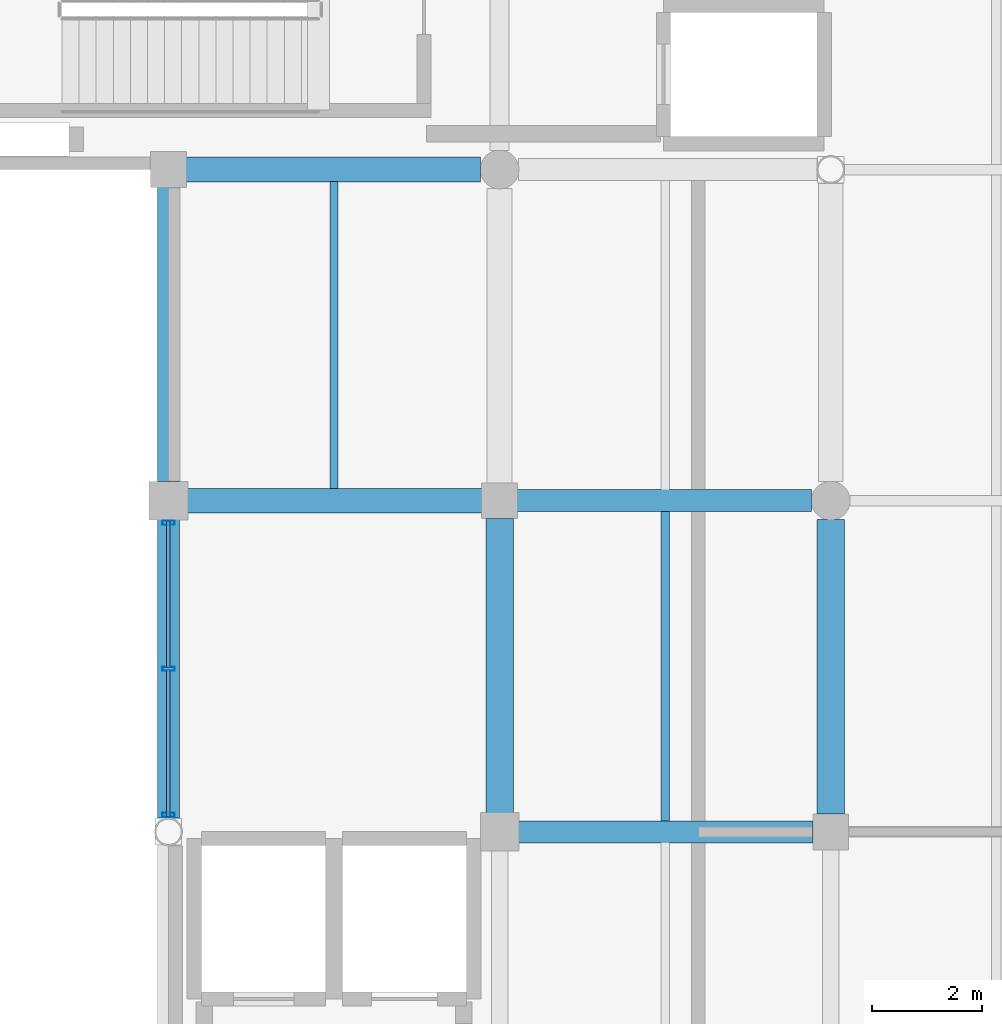
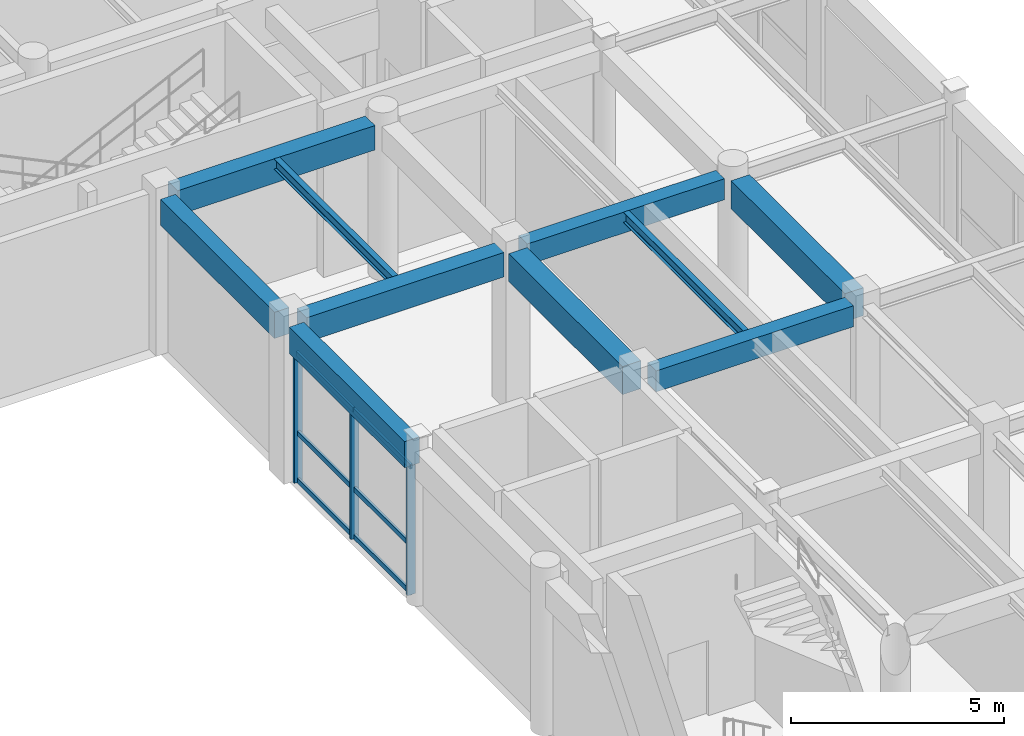
# One storey, part 81 of 123: 10 beams, 9 members, 1 element without a shape of its own.
"""IFC4 building model written with IfcOpenShell, lengths in metres."""

import ifcopenshell
import ifcopenshell.guid

model = None  # the IFC model being written
_history = None  # IfcOwnerHistory: only IFC2X3 demands one
_inside = {}  # id of a spatial element -> (the spatial element, [elements in it])
_under = {}  # id of a project, library or spatial element -> (it, [spatial elements below it])
_declared = {}  # id of a project -> (the project, [libraries it declares])
_typed = {}  # id of a type object -> (the type object, [elements of that type])
_made_of = {}  # id of a material, layer set ... -> (it, [elements and type objects made of it])


def new_model(schema):
    """Start an empty IFC model of exactly this schema.

    Asked for "IFC4X3", IfcOpenShell would pick the latest addendum, in which some entities
    have other attributes; the version numbers below select the first issue.
    IFC2X3 requires an IfcOwnerHistory on every rooted entity: one is made here for all.
    """
    global model, _history
    if schema == "IFC4X3":
        model = ifcopenshell.file(schema_version=(4, 3, 0, 0))
    else:
        model = ifcopenshell.file(schema=schema)
    _inside.clear()
    _under.clear()
    _declared.clear()
    _typed.clear()
    _made_of.clear()
    _history = None
    if model.schema == "IFC2X3":
        org = make("IfcOrganization", Name="unknown")
        user = make(
            "IfcPersonAndOrganization",
            ThePerson=make("IfcPerson", FamilyName="unknown"),
            TheOrganization=org,
        )
        app = make(
            "IfcApplication",
            ApplicationDeveloper=org,
            Version="unknown",
            ApplicationFullName="unknown",
            ApplicationIdentifier="unknown",
        )
        _history = make(
            "IfcOwnerHistory",
            OwningUser=user,
            OwningApplication=app,
            ChangeAction="ADDED",
            CreationDate=0,
        )
    return model


def make(cls, **values):
    """One entity of the class cls with the attributes given. An attribute that is None is left unset."""
    return model.create_entity(
        cls, **{name: value for name, value in values.items() if value is not None}
    )


def rooted(cls, **values):
    """An entity with a GlobalId (a new one), such as an element, a storey or a relation."""
    return make(cls, GlobalId=ifcopenshell.guid.new(), OwnerHistory=_history, **values)


def si_unit(unit_type, name, prefix=None):
    """IfcSIUnit, for example si_unit("LENGTHUNIT", "METRE", prefix="MILLI")."""
    return make("IfcSIUnit", UnitType=unit_type, Prefix=prefix, Name=name)


def assignment(units):
    """IfcUnitAssignment: the units of a project."""
    return None if units is None else make("IfcUnitAssignment", Units=units)


def point(xyz):
    """IfcCartesianPoint."""
    return None if xyz is None else make("IfcCartesianPoint", Coordinates=xyz)


def direction(xyz):
    """IfcDirection."""
    return None if xyz is None else make("IfcDirection", DirectionRatios=xyz)


def frame(location, z_axis=None, x_axis=None):
    """IfcAxis2Placement3D, a coordinate frame: its origin and axes. An axis left out is left unset."""
    return make(
        "IfcAxis2Placement3D",
        Location=point(location),
        Axis=direction(z_axis),
        RefDirection=direction(x_axis),
    )


def frame_2d(location, x_axis=None):
    """IfcAxis2Placement2D, a coordinate frame in the plane: its origin and x axis."""
    return make(
        "IfcAxis2Placement2D", Location=point(location), RefDirection=direction(x_axis)
    )


def origin():
    """The frame at (0, 0, 0) with its axes left unset."""
    return frame((0.0, 0.0, 0.0))


def origin_2d():
    """The frame at (0, 0) in the plane with its x axis left unset."""
    return frame_2d((0.0, 0.0))


def place(relative_to, where):
    """IfcLocalPlacement: puts the frame where relative to a parent placement (None: the world)."""
    return make(
        "IfcLocalPlacement", PlacementRelTo=relative_to, RelativePlacement=where
    )


def context(
    kind, dimensions, precision=None, world=None, true_north=None, identifier=None
):
    """IfcGeometricRepresentationContext, for example the 3D "Model" context."""
    return make(
        "IfcGeometricRepresentationContext",
        ContextIdentifier=identifier,
        ContextType=kind,
        CoordinateSpaceDimension=dimensions,
        Precision=precision,
        WorldCoordinateSystem=world,
        TrueNorth=true_north,
    )


def subcontext(parent, identifier, kind, view, scale=None):
    """IfcGeometricRepresentationSubContext, for example "Body" below "Model"."""
    return make(
        "IfcGeometricRepresentationSubContext",
        ContextIdentifier=identifier,
        ContextType=kind,
        ParentContext=parent,
        TargetScale=scale,
        TargetView=view,
    )


def project(units=None, contexts=None):
    """IfcProject with its units and contexts."""
    return rooted(
        "IfcProject",
        Name="project",
        RepresentationContexts=contexts,
        UnitsInContext=assignment(units),
    )


def spatial(cls, under=None, at=None, **own):
    """A site, building, storey or space (cls), placed at a placement, below another one or the project."""
    s = rooted(cls, ObjectPlacement=at, **own)
    if under is not None:
        _under.setdefault(under.id(), (under, []))[1].append(s)
    return s


def profile(cls, at=None, kind="AREA", **sizes):
    """A parametric profile (cls). Its sizes go by their IFC names, for example OverallWidth=200.0."""
    return make(cls, ProfileType=kind, Position=at, **sizes)


def rectangle(**sizes):
    """IfcRectangleProfileDef."""
    return profile("IfcRectangleProfileDef", **sizes)


def hollow_rectangle(**sizes):
    """IfcRectangleHollowProfileDef."""
    return profile("IfcRectangleHollowProfileDef", **sizes)


def i_section(**sizes):
    """IfcIShapeProfileDef."""
    return profile("IfcIShapeProfileDef", **sizes)


def extrude(swept, where, along, depth):
    """IfcExtrudedAreaSolid: the profile swept, set in the frame where, extruded along a direction by depth."""
    return make(
        "IfcExtrudedAreaSolid",
        SweptArea=swept,
        Position=where,
        ExtrudedDirection=direction(along),
        Depth=depth,
    )


def shape(context_of_items, identifier, shape_type, items):
    """IfcShapeRepresentation: the items that make up one representation, for example the "Body"."""
    return make(
        "IfcShapeRepresentation",
        ContextOfItems=context_of_items,
        RepresentationIdentifier=identifier,
        RepresentationType=shape_type,
        Items=items,
    )


def material(Name=None, Category=None):
    """IfcMaterial."""
    return make("IfcMaterial", Name=Name, Category=Category)


def material_profile(
    of_material, cross_section, Name=None, Category=None, Priority=None
):
    """IfcMaterialProfile: a cross section and its material."""
    return make(
        "IfcMaterialProfile",
        Name=Name,
        Material=of_material,
        Profile=cross_section,
        Priority=Priority,
        Category=Category,
    )


def profile_set(profiles, Name=None, composite=None):
    """IfcMaterialProfileSet."""
    return make(
        "IfcMaterialProfileSet",
        Name=Name,
        MaterialProfiles=profiles,
        CompositeProfile=composite,
    )


def made_of(thing, what):
    """Note that an element or type object is made of a material, layer set ...; save() writes the relation."""
    if what is not None:
        _made_of.setdefault(what.id(), (what, []))[1].append(thing)
    return thing


def type_object(cls, material=None, **own):
    """A type object (cls), such as IfcWallType, which elements share."""
    return made_of(rooted(cls, **own), material)


def element(
    cls,
    number,
    at=None,
    inside=None,
    cuts=None,
    type_object=None,
    material=None,
    context=None,
    identifier="Body",
    shape_type=None,
    held_by="IfcProductDefinitionShape",
    body=None,
    shapes=None,
    **own,
):
    """One element of the class cls, such as IfcWall. Its Tag is "e" and its number.

    at: its placement. inside: the storey or other place that contains it. cuts: it is an
    opening in that element (IfcRelVoidsElement). A single representation is given by context,
    identifier, shape_type and body (its items); several are given by shapes. held_by: the class
    of the entity that holds the representations. save() writes the other relations.
    """
    e = rooted(cls, Tag="e%d" % number, ObjectPlacement=at, **own)
    if body is not None:
        shapes = [shape(context, identifier, shape_type, body)]
    if shapes is not None:
        e.Representation = make(held_by, Representations=shapes)
    if inside is not None:
        _inside.setdefault(inside.id(), (inside, []))[1].append(e)
    if cuts is not None:
        rooted(
            "IfcRelVoidsElement", RelatingBuildingElement=cuts, RelatedOpeningElement=e
        )
    if type_object is not None:
        _typed.setdefault(type_object.id(), (type_object, []))[1].append(e)
    return made_of(e, material)


def aggregate(whole, parts):
    """IfcRelAggregates: a whole, such as a stair, and the parts it consists of."""
    return rooted("IfcRelAggregates", RelatingObject=whole, RelatedObjects=parts)


def save(model, path):
    """Write the relations noted so far, then the file.

    IfcRelAggregates (storeys below a building ...), IfcRelContainedInSpatialStructure (elements
    in a storey), IfcRelDefinesByType, IfcRelAssociatesMaterial and IfcRelDeclares: one each for
    every whole, place, type object, material and project.
    """
    for whole, parts in _under.values():
        aggregate(whole, parts)
    for where, things in _inside.values():
        rooted(
            "IfcRelContainedInSpatialStructure",
            RelatedElements=things,
            RelatingStructure=where,
        )
    for kind, things in _typed.values():
        rooted("IfcRelDefinesByType", RelatedObjects=things, RelatingType=kind)
    for what, things in _made_of.values():
        rooted("IfcRelAssociatesMaterial", RelatedObjects=things, RelatingMaterial=what)
    for by, libraries in _declared.values():
        rooted("IfcRelDeclares", RelatingContext=by, RelatedDefinitions=libraries)
    model.write(path)


model = new_model("IFC4")

# Units and contexts
model_context = context("Model", 3, precision=1e-05, world=origin(), true_north=direction((0.0, 1.0)))
body_context = subcontext(model_context, "Body", "Model", "MODEL_VIEW")
ifc_project = project(units=[si_unit("LENGTHUNIT", "METRE"), si_unit("AREAUNIT", "SQUARE_METRE"), si_unit("VOLUMEUNIT", "CUBIC_METRE"), si_unit("PLANEANGLEUNIT", "RADIAN"), si_unit("MASSUNIT", "GRAM", prefix="KILO"), si_unit("THERMODYNAMICTEMPERATUREUNIT", "KELVIN"), si_unit("POWERUNIT", "WATT")], contexts=[model_context])

# Site, building, storey
site_placement = place(None, origin())
site = spatial("IfcSite", under=ifc_project, at=site_placement, CompositionType="ELEMENT")
building_placement = place(site_placement, origin())
building = spatial("IfcBuilding", under=site, at=building_placement, Name="Phaisarnlok Congress Hotel", CompositionType="ELEMENT")
storey_placement = place(building_placement, frame((0.0, 0.0, 15.0)))
storey = spatial("IfcBuildingStorey", under=building, at=storey_placement, Name="L03", CompositionType="ELEMENT", Elevation=15.0)

# Beams
ifc_material_1 = material(Name="Concrete C40/50", Category="concrete")
ifc_material_profile_1 = material_profile(ifc_material_1, rectangle(XDim=0.39990234375, YDim=0.60009765625, at=origin_2d()), Name="RC 400x600")
ifc_profile_set_1 = profile_set([ifc_material_profile_1], Name="Concrete C40/50")
beam_type_1 = type_object("IfcBeamType", Name="BM-RC-400x600", PredefinedType="BEAM", material=ifc_profile_set_1)
for number, where, z_axis, x_axis, name in (
    (1, (168.344970703125, 96.0, 4.14990234375), (1.0, 0.0, 0.0), (0.0, 1.0, 0.0), "Beam B-02"),
    (2, (168.320068359375, 102.0, 4.14990234375), (1.0, 0.0, 0.0), (0.0, 1.0, 0.0), "Beam B-02"),
):
    element("IfcBeam", number, at=place(storey_placement, frame(where, z_axis=z_axis, x_axis=x_axis)), inside=storey, type_object=beam_type_1, Name=name, PredefinedType="BEAM", context=body_context, shape_type="SweptSolid", body=[
        extrude(rectangle(XDim=0.39990234375, YDim=0.60009765625, at=origin_2d()), origin(), (0.0, 0.0, 1.0), 5.3349609375),
    ])
ifc_material_profile_2 = material_profile(ifc_material_1, rectangle(XDim=0.449951171875, YDim=0.699951171875, at=origin_2d()), Name="RC 450x700")
ifc_profile_set_2 = profile_set([ifc_material_profile_2], Name="Concrete C40/50")
beam_type_2 = type_object("IfcBeamType", Name="BM-RC-450x700", PredefinedType="BEAM", material=ifc_profile_set_2)
for number, where, z_axis, x_axis, name in (
    (3, (162.344970703125, 102.0, 4.10009765625), (1.0, 0.0, 0.0), (0.0, 1.0, 0.0), "Beam B-03"),
    (4, (162.320068359375, 108.0, 4.10009765625), (1.0, 0.0, 0.0), (0.0, 1.0, 0.0), "Beam B-03"),
):
    element("IfcBeam", number, at=place(storey_placement, frame(where, z_axis=z_axis, x_axis=x_axis)), inside=storey, type_object=beam_type_2, Name=name, PredefinedType="BEAM", context=body_context, shape_type="SweptSolid", body=[
        extrude(rectangle(XDim=0.449951171875, YDim=0.699951171875, at=origin_2d()), origin(), (0.0, 0.0, 1.0), 5.3349609375),
    ])
ifc_material_profile_3 = material_profile(ifc_material_1, rectangle(XDim=0.5, YDim=0.800048828125, at=origin_2d()), Name="RC 500x800")
ifc_profile_set_3 = profile_set([ifc_material_profile_3], Name="Concrete C40/50")
beam_type_3 = type_object("IfcBeamType", Name="BM-RC-500x800", PredefinedType="BEAM", material=ifc_profile_set_3)
for number, where, z_axis, x_axis, name in (
    (5, (168.0, 96.344970703125, 4.050048828125), (0.0, 1.0, 0.0), (-1.0, 0.0, 0.0), "Beam B-04"),
    (6, (174.0, 96.320068359375, 4.050048828125), (0.0, 1.0, 0.0), (-1.0, 0.0, 0.0), "Beam B-04"),
):
    element("IfcBeam", number, at=place(storey_placement, frame(where, z_axis=z_axis, x_axis=x_axis)), inside=storey, type_object=beam_type_3, Name=name, PredefinedType="BEAM", context=body_context, shape_type="SweptSolid", body=[
        extrude(rectangle(XDim=0.5, YDim=0.800048828125, at=origin_2d()), origin(), (0.0, 0.0, 1.0), 5.3349609375),
    ])

# Curtain wall, members
ifc_material_2 = material(Name="Thermally Broken Unitised Aluminium & Low-E Glazing", Category="aluminium")
curtain_wall_type = type_object("IfcCurtainWallType", Name="CW-UNIT-31", PredefinedType="NOTDEFINED", material=ifc_material_2)
curtain_wall_placement = place(storey_placement, origin())
curtain_wall = element("IfcCurtainWall", 7, at=curtain_wall_placement, inside=storey, type_object=curtain_wall_type, Name="Unitised curtain wall CW-31 (L03)", PredefinedType="NOTDEFINED")
ifc_material_3 = material(Name="Anodised Aluminium Alloy 6063-T6", Category="aluminium")
ifc_material_profile_4 = material_profile(ifc_material_3, hollow_rectangle(XDim=0.074951171875, YDim=0.219970703125, WallThickness=0.0048828125, at=origin_2d()), Name="ALU-M 75x220x5")
ifc_profile_set_4 = profile_set([ifc_material_profile_4], Name="Anodised Aluminium Alloy 6063-T6")
member_type_1 = type_object("IfcMemberType", Name="CWM-220", PredefinedType="MULLION", material=ifc_profile_set_4)
member_1_placement = place(storey_placement, frame((162.0, 101.60009765625, 0.0), z_axis=(0.0, 0.0, 1.0), x_axis=(0.0, -1.0, 0.0)))
member_1 = element("IfcMember", 8, at=member_1_placement, type_object=member_type_1, Name="Curtain wall mullion CWM-02", PredefinedType="MULLION", context=body_context, shape_type="SweptSolid", body=[
    extrude(hollow_rectangle(XDim=0.074951171875, YDim=0.219970703125, WallThickness=0.0048828125, at=origin_2d()), origin(), (0.0, 0.0, 1.0), 3.699951171875),
])
member_2_placement = place(storey_placement, frame((162.0, 98.951904296875, 0.0), z_axis=(0.0, 0.0, 1.0), x_axis=(0.0, -1.0, 0.0)))
member_2 = element("IfcMember", 9, at=member_2_placement, type_object=member_type_1, Name="Curtain wall mullion CWM-02", PredefinedType="MULLION", context=body_context, shape_type="SweptSolid", body=[
    extrude(hollow_rectangle(XDim=0.074951171875, YDim=0.219970703125, WallThickness=0.0048828125, at=origin_2d()), origin(), (0.0, 0.0, 1.0), 3.699951171875),
])
member_3_placement = place(storey_placement, frame((162.0, 96.303955078125, 0.0), z_axis=(0.0, 0.0, 1.0), x_axis=(0.0, -1.0, 0.0)))
member_3 = element("IfcMember", 10, at=member_3_placement, type_object=member_type_1, Name="Curtain wall mullion CWM-02", PredefinedType="MULLION", context=body_context, shape_type="SweptSolid", body=[
    extrude(hollow_rectangle(XDim=0.074951171875, YDim=0.219970703125, WallThickness=0.0048828125, at=origin_2d()), origin(), (0.0, 0.0, 1.0), 3.699951171875),
])
ifc_material_profile_5 = material_profile(ifc_material_3, hollow_rectangle(XDim=0.06494140625, YDim=0.139892578125, WallThickness=0.00390625, at=origin_2d()), Name="ALU-T 65x140x4")
ifc_profile_set_5 = profile_set([ifc_material_profile_5], Name="Anodised Aluminium Alloy 6063-T6")
member_type_2 = type_object("IfcMemberType", Name="CWT-150", PredefinedType="USERDEFINED", material=ifc_profile_set_5)
member_4_placement = place(storey_placement, frame((162.0, 101.625, 0.050048828125), z_axis=(0.0, -1.0, 0.0), x_axis=(1.0, 0.0, 0.0)))
member_4 = element("IfcMember", 11, at=member_4_placement, type_object=member_type_2, Name="Curtain wall transom CWT-01", ObjectType="TRANSOM", PredefinedType="USERDEFINED", context=body_context, shape_type="SweptSolid", body=[
    extrude(hollow_rectangle(XDim=0.06494140625, YDim=0.139892578125, WallThickness=0.00390625, at=origin_2d()), origin(), (0.0, 0.0, 1.0), 2.657958984375),
])
member_5_placement = place(storey_placement, frame((162.0, 101.625, 1.406005859375), z_axis=(0.0, -1.0, 0.0), x_axis=(1.0, 0.0, 0.0)))
member_5 = element("IfcMember", 12, at=member_5_placement, type_object=member_type_2, Name="Curtain wall transom CWT-01", ObjectType="TRANSOM", PredefinedType="USERDEFINED", context=body_context, shape_type="SweptSolid", body=[
    extrude(hollow_rectangle(XDim=0.06494140625, YDim=0.139892578125, WallThickness=0.00390625, at=origin_2d()), origin(), (0.0, 0.0, 1.0), 2.657958984375),
])
member_6_placement = place(storey_placement, frame((162.0, 101.625, 3.64990234375), z_axis=(0.0, -1.0, 0.0), x_axis=(1.0, 0.0, 0.0)))
member_6 = element("IfcMember", 13, at=member_6_placement, type_object=member_type_2, Name="Curtain wall transom CWT-01", ObjectType="TRANSOM", PredefinedType="USERDEFINED", context=body_context, shape_type="SweptSolid", body=[
    extrude(hollow_rectangle(XDim=0.06494140625, YDim=0.139892578125, WallThickness=0.00390625, at=origin_2d()), origin(), (0.0, 0.0, 1.0), 2.657958984375),
])
member_7_placement = place(storey_placement, frame((162.0, 98.93701171875, 0.050048828125), z_axis=(0.0, -1.0, 0.0), x_axis=(1.0, 0.0, 0.0)))
member_7 = element("IfcMember", 14, at=member_7_placement, type_object=member_type_2, Name="Curtain wall transom CWT-01", ObjectType="TRANSOM", PredefinedType="USERDEFINED", context=body_context, shape_type="SweptSolid", body=[
    extrude(hollow_rectangle(XDim=0.06494140625, YDim=0.139892578125, WallThickness=0.00390625, at=origin_2d()), origin(), (0.0, 0.0, 1.0), 2.657958984375),
])
member_8_placement = place(storey_placement, frame((162.0, 98.93701171875, 1.406005859375), z_axis=(0.0, -1.0, 0.0), x_axis=(1.0, 0.0, 0.0)))
member_8 = element("IfcMember", 15, at=member_8_placement, type_object=member_type_2, Name="Curtain wall transom CWT-01", ObjectType="TRANSOM", PredefinedType="USERDEFINED", context=body_context, shape_type="SweptSolid", body=[
    extrude(hollow_rectangle(XDim=0.06494140625, YDim=0.139892578125, WallThickness=0.00390625, at=origin_2d()), origin(), (0.0, 0.0, 1.0), 2.657958984375),
])
member_9_placement = place(storey_placement, frame((162.0, 98.93701171875, 3.64990234375), z_axis=(0.0, -1.0, 0.0), x_axis=(1.0, 0.0, 0.0)))
member_9 = element("IfcMember", 16, at=member_9_placement, type_object=member_type_2, Name="Curtain wall transom CWT-01", ObjectType="TRANSOM", PredefinedType="USERDEFINED", context=body_context, shape_type="SweptSolid", body=[
    extrude(hollow_rectangle(XDim=0.06494140625, YDim=0.139892578125, WallThickness=0.00390625, at=origin_2d()), origin(), (0.0, 0.0, 1.0), 2.657958984375),
])
aggregate(curtain_wall, [member_1, member_2, member_3, member_4, member_5, member_6, member_7, member_8, member_9])

# Beams
ifc_material_4 = material(Name="Steel S355", Category="steel")
ifc_material_profile_6 = material_profile(ifc_material_4, i_section(OverallWidth=0.14990234375, OverallDepth=0.300048828125, WebThickness=0.007080078125, FlangeThickness=0.0107421875, FilletRadius=0.014892578125, at=origin_2d()), Name="IPE 300")
ifc_profile_set_6 = profile_set([ifc_material_profile_6], Name="Steel S355")
beam_type_4 = type_object("IfcBeamType", Name="JS-STL-IPE300", PredefinedType="JOIST", material=ifc_profile_set_6)
beam_1_placement = place(storey_placement, frame((165.0, 102.219970703125, 4.300048828125), z_axis=(0.0, 1.0, 0.0), x_axis=(-1.0, 0.0, 0.0)))
element("IfcBeam", 17, at=beam_1_placement, inside=storey, type_object=beam_type_4, Name="Secondary floor joist J-03", PredefinedType="JOIST", context=body_context, shape_type="SweptSolid", body=[
    extrude(i_section(OverallWidth=0.14990234375, OverallDepth=0.300048828125, WebThickness=0.007080078125, FlangeThickness=0.0107421875, FilletRadius=0.014892578125, at=origin_2d()), origin(), (0.0, 0.0, 1.0), 5.56005859375),
])
beam_2_placement = place(storey_placement, frame((171.0, 96.195068359375, 4.300048828125), z_axis=(0.0, 1.0, 0.0), x_axis=(-1.0, 0.0, 0.0)))
element("IfcBeam", 18, at=beam_2_placement, inside=storey, type_object=beam_type_4, Name="Secondary floor joist J-03", PredefinedType="JOIST", context=body_context, shape_type="SweptSolid", body=[
    extrude(i_section(OverallWidth=0.14990234375, OverallDepth=0.300048828125, WebThickness=0.007080078125, FlangeThickness=0.0107421875, FilletRadius=0.014892578125, at=origin_2d()), origin(), (0.0, 0.0, 1.0), 5.60986328125),
])
ifc_material_profile_7 = material_profile(ifc_material_1, rectangle(XDim=0.39990234375, YDim=0.75, at=origin_2d()), Name="RC 400x750")
ifc_profile_set_7 = profile_set([ifc_material_profile_7], Name="Concrete C40/50")
beam_type_5 = type_object("IfcBeamType", Name="SP-RC-400x750", PredefinedType="SPANDREL", material=ifc_profile_set_7)
beam_3_placement = place(storey_placement, frame((162.0, 96.2490234375, 4.074951171875), z_axis=(0.0, 1.0, 0.0), x_axis=(-1.0, 0.0, 0.0)))
element("IfcBeam", 19, at=beam_3_placement, inside=storey, type_object=beam_type_5, Name="Beam SP-02", PredefinedType="SPANDREL", context=body_context, shape_type="SweptSolid", body=[
    extrude(rectangle(XDim=0.39990234375, YDim=0.75, at=origin_2d()), origin(), (0.0, 0.0, 1.0), 5.406005859375),
])
beam_4_placement = place(storey_placement, frame((162.0, 102.344970703125, 4.074951171875), z_axis=(0.0, 1.0, 0.0), x_axis=(-1.0, 0.0, 0.0)))
element("IfcBeam", 20, at=beam_4_placement, inside=storey, type_object=beam_type_5, Name="Beam SP-02", PredefinedType="SPANDREL", context=body_context, shape_type="SweptSolid", body=[
    extrude(rectangle(XDim=0.39990234375, YDim=0.75, at=origin_2d()), origin(), (0.0, 0.0, 1.0), 5.3349609375),
])

save(model, "model.ifc")
